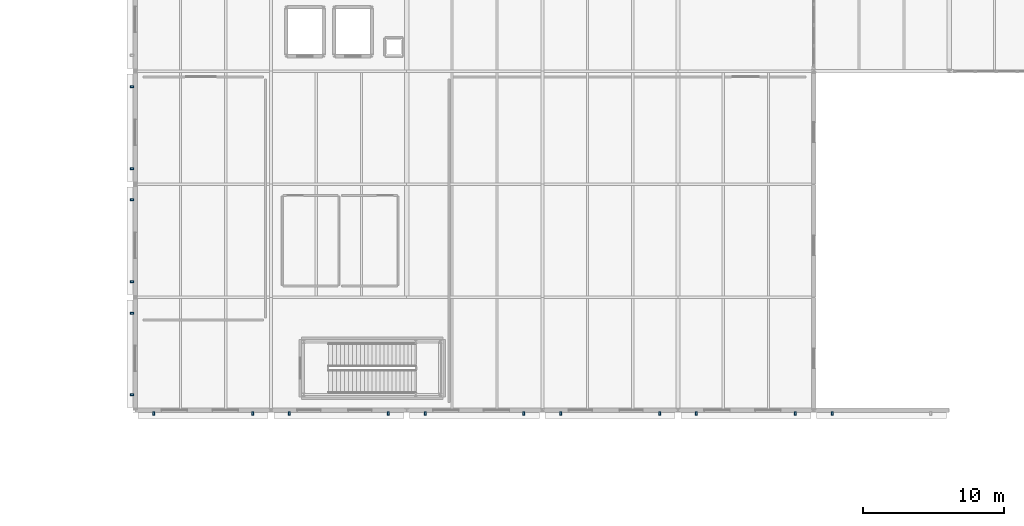
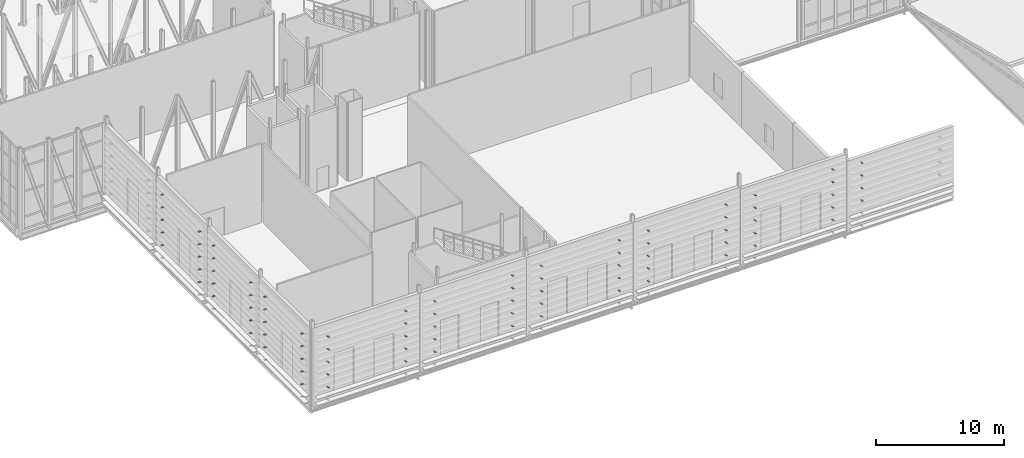
# One storey, part 58 of 73: 102 plates.
"""IFC4 building model written with IfcOpenShell, lengths in metres."""

from ifc_helpers import new_model, si_unit, direction, frame, origin, origin_2d, place, context, subcontext, project, spatial, rectangle, extrude, material, layer, layer_set, type_object, element, save


model = new_model("IFC4")

# Units and contexts
model_context = context("Model", 3, precision=1e-05, world=origin(), true_north=direction((0.0, 1.0)))
body_context = subcontext(model_context, "Body", "Model", "MODEL_VIEW")
ifc_project = project(units=[si_unit("LENGTHUNIT", "METRE"), si_unit("AREAUNIT", "SQUARE_METRE"), si_unit("VOLUMEUNIT", "CUBIC_METRE"), si_unit("PLANEANGLEUNIT", "RADIAN"), si_unit("MASSUNIT", "GRAM", prefix="KILO")], contexts=[model_context])

# Site, building, storey
site_placement = place(None, origin())
site = spatial("IfcSite", under=ifc_project, at=site_placement, CompositionType="ELEMENT")
building_placement = place(site_placement, origin())
building = spatial("IfcBuilding", under=site, at=building_placement, Name="Alderhovde Museum", CompositionType="ELEMENT")
storey_placement = place(building_placement, frame((0.0, 0.0, 17.39990234375)))
storey = spatial("IfcBuildingStorey", under=building, at=storey_placement, Name="L04", CompositionType="ELEMENT", Elevation=17.39990234375)

# Plates
ifc_material = material(Name="Steel S355J2", Category="steel")
ifc_layer = layer(ifc_material, 0.02001953125)
ifc_layer_set = layer_set([ifc_layer], Name="Steel S355J2")
plate_type = type_object("IfcPlateType", Name="LV-BRACKET", PredefinedType="USERDEFINED", material=ifc_layer_set)
for number, where, z_axis, x_axis, name in (
    (1, (58.904052734375, 47.77001953125, 0.010009765625), (0.0, 0.0, 1.0), (1.0, 0.0, 0.0), "L04 Louvre Support Bracket 5-1"),
    (2, (58.904052734375, 47.77001953125, 1.210205078125), (0.0, 0.0, 1.0), (1.0, 0.0, 0.0), "L04 Louvre Support Bracket 7-1"),
    (3, (58.904052734375, 47.77001953125, 2.41015625), (0.0, 0.0, 1.0), (1.0, 0.0, 0.0), "L04 Louvre Support Bracket 9-1"),
    (4, (58.904052734375, 47.77001953125, 3.610107421875), (0.0, 0.0, 1.0), (1.0, 0.0, 0.0), "L04 Louvre Support Bracket 11-1"),
    (5, (58.904052734375, 47.77001953125, 4.81005859375), (0.0, 0.0, 1.0), (1.0, 0.0, 0.0), "L04 Louvre Support Bracket 13-1"),
    (6, (58.904052734375, 47.77001953125, 6.010009765625), (0.0, 0.0, 1.0), (1.0, 0.0, 0.0), "L04 Louvre Support Bracket 15-1"),
    (7, (9.3701171875, 49.112060546875, 0.2900390625), (0.0, 0.0, 1.0), (0.0, 1.0, 0.0), "L04 Louvre Support Bracket 199-1"),
    (8, (9.3701171875, 54.887939453125, 0.2900390625), (0.0, 0.0, 1.0), (0.0, 1.0, 0.0), "L04 Louvre Support Bracket 199-2"),
    (9, (9.3701171875, 49.112060546875, 1.489990234375), (0.0, 0.0, 1.0), (0.0, 1.0, 0.0), "L04 Louvre Support Bracket 201-1"),
    (10, (9.3701171875, 54.887939453125, 1.489990234375), (0.0, 0.0, 1.0), (0.0, 1.0, 0.0), "L04 Louvre Support Bracket 201-2"),
    (11, (9.3701171875, 49.112060546875, 2.690185546875), (0.0, 0.0, 1.0), (0.0, 1.0, 0.0), "L04 Louvre Support Bracket 203-1"),
    (12, (9.3701171875, 54.887939453125, 2.690185546875), (0.0, 0.0, 1.0), (0.0, 1.0, 0.0), "L04 Louvre Support Bracket 203-2"),
    (13, (9.3701171875, 49.112060546875, 3.89013671875), (0.0, 0.0, 1.0), (0.0, 1.0, 0.0), "L04 Louvre Support Bracket 205-1"),
    (14, (9.3701171875, 54.887939453125, 3.89013671875), (0.0, 0.0, 1.0), (0.0, 1.0, 0.0), "L04 Louvre Support Bracket 205-2"),
    (15, (9.3701171875, 49.112060546875, 5.090087890625), (0.0, 0.0, 1.0), (0.0, 1.0, 0.0), "L04 Louvre Support Bracket 207-1"),
    (16, (9.3701171875, 54.887939453125, 5.090087890625), (0.0, 0.0, 1.0), (0.0, 1.0, 0.0), "L04 Louvre Support Bracket 207-2"),
    (17, (9.3701171875, 49.112060546875, 6.2900390625), (0.0, 0.0, 1.0), (0.0, 1.0, 0.0), "L04 Louvre Support Bracket 209-1"),
    (18, (9.3701171875, 54.887939453125, 6.2900390625), (0.0, 0.0, 1.0), (0.0, 1.0, 0.0), "L04 Louvre Support Bracket 209-2"),
    (19, (9.3701171875, 57.112060546875, 0.2900390625), (0.0, 0.0, 1.0), (0.0, 1.0, 0.0), "L04 Louvre Support Bracket 211-1"),
    (20, (9.3701171875, 62.887939453125, 0.2900390625), (0.0, 0.0, 1.0), (0.0, 1.0, 0.0), "L04 Louvre Support Bracket 211-2"),
    (21, (9.3701171875, 57.112060546875, 1.489990234375), (0.0, 0.0, 1.0), (0.0, 1.0, 0.0), "L04 Louvre Support Bracket 213-1"),
    (22, (9.3701171875, 62.887939453125, 1.489990234375), (0.0, 0.0, 1.0), (0.0, 1.0, 0.0), "L04 Louvre Support Bracket 213-2"),
    (23, (9.3701171875, 57.112060546875, 2.690185546875), (0.0, 0.0, 1.0), (0.0, 1.0, 0.0), "L04 Louvre Support Bracket 215-1"),
    (24, (9.3701171875, 62.887939453125, 2.690185546875), (0.0, 0.0, 1.0), (0.0, 1.0, 0.0), "L04 Louvre Support Bracket 215-2"),
    (25, (9.3701171875, 57.112060546875, 3.89013671875), (0.0, 0.0, 1.0), (0.0, 1.0, 0.0), "L04 Louvre Support Bracket 217-1"),
    (26, (9.3701171875, 62.887939453125, 3.89013671875), (0.0, 0.0, 1.0), (0.0, 1.0, 0.0), "L04 Louvre Support Bracket 217-2"),
    (27, (9.3701171875, 57.112060546875, 5.090087890625), (0.0, 0.0, 1.0), (0.0, 1.0, 0.0), "L04 Louvre Support Bracket 219-1"),
    (28, (9.3701171875, 62.887939453125, 5.090087890625), (0.0, 0.0, 1.0), (0.0, 1.0, 0.0), "L04 Louvre Support Bracket 219-2"),
    (29, (9.3701171875, 57.112060546875, 6.2900390625), (0.0, 0.0, 1.0), (0.0, 1.0, 0.0), "L04 Louvre Support Bracket 221-1"),
    (30, (9.3701171875, 62.887939453125, 6.2900390625), (0.0, 0.0, 1.0), (0.0, 1.0, 0.0), "L04 Louvre Support Bracket 221-2"),
    (31, (9.3701171875, 65.112060546875, 0.2900390625), (0.0, 0.0, 1.0), (0.0, 1.0, 0.0), "L04 Louvre Support Bracket 223-1"),
    (32, (9.3701171875, 70.887939453125, 0.2900390625), (0.0, 0.0, 1.0), (0.0, 1.0, 0.0), "L04 Louvre Support Bracket 223-2"),
    (33, (9.3701171875, 65.112060546875, 1.489990234375), (0.0, 0.0, 1.0), (0.0, 1.0, 0.0), "L04 Louvre Support Bracket 225-1"),
    (34, (9.3701171875, 70.887939453125, 1.489990234375), (0.0, 0.0, 1.0), (0.0, 1.0, 0.0), "L04 Louvre Support Bracket 225-2"),
    (35, (9.3701171875, 65.112060546875, 2.690185546875), (0.0, 0.0, 1.0), (0.0, 1.0, 0.0), "L04 Louvre Support Bracket 227-1"),
    (36, (9.3701171875, 70.887939453125, 2.690185546875), (0.0, 0.0, 1.0), (0.0, 1.0, 0.0), "L04 Louvre Support Bracket 227-2"),
    (37, (9.3701171875, 65.112060546875, 3.89013671875), (0.0, 0.0, 1.0), (0.0, 1.0, 0.0), "L04 Louvre Support Bracket 229-1"),
    (38, (9.3701171875, 70.887939453125, 3.89013671875), (0.0, 0.0, 1.0), (0.0, 1.0, 0.0), "L04 Louvre Support Bracket 229-2"),
    (39, (9.3701171875, 65.112060546875, 5.090087890625), (0.0, 0.0, 1.0), (0.0, 1.0, 0.0), "L04 Louvre Support Bracket 231-1"),
    (40, (9.3701171875, 70.887939453125, 5.090087890625), (0.0, 0.0, 1.0), (0.0, 1.0, 0.0), "L04 Louvre Support Bracket 231-2"),
    (41, (9.3701171875, 65.112060546875, 6.2900390625), (0.0, 0.0, 1.0), (0.0, 1.0, 0.0), "L04 Louvre Support Bracket 233-1"),
    (42, (9.3701171875, 70.887939453125, 6.2900390625), (0.0, 0.0, 1.0), (0.0, 1.0, 0.0), "L04 Louvre Support Bracket 233-2"),
    (43, (10.904052734375, 47.77001953125, 0.2900390625), (0.0, 0.0, 1.0), (1.0, 0.0, 0.0), "L04 Louvre Support Bracket 247-1"),
    (44, (17.89599609375, 47.77001953125, 0.2900390625), (0.0, 0.0, 1.0), (1.0, 0.0, 0.0), "L04 Louvre Support Bracket 247-2"),
    (45, (10.904052734375, 47.77001953125, 1.489990234375), (0.0, 0.0, 1.0), (1.0, 0.0, 0.0), "L04 Louvre Support Bracket 249-1"),
    (46, (17.89599609375, 47.77001953125, 1.489990234375), (0.0, 0.0, 1.0), (1.0, 0.0, 0.0), "L04 Louvre Support Bracket 249-2"),
    (47, (10.904052734375, 47.77001953125, 2.690185546875), (0.0, 0.0, 1.0), (1.0, 0.0, 0.0), "L04 Louvre Support Bracket 251-1"),
    (48, (17.89599609375, 47.77001953125, 2.690185546875), (0.0, 0.0, 1.0), (1.0, 0.0, 0.0), "L04 Louvre Support Bracket 251-2"),
    (49, (10.904052734375, 47.77001953125, 3.89013671875), (0.0, 0.0, 1.0), (1.0, 0.0, 0.0), "L04 Louvre Support Bracket 253-1"),
    (50, (17.89599609375, 47.77001953125, 3.89013671875), (0.0, 0.0, 1.0), (1.0, 0.0, 0.0), "L04 Louvre Support Bracket 253-2"),
    (51, (10.904052734375, 47.77001953125, 5.090087890625), (0.0, 0.0, 1.0), (1.0, 0.0, 0.0), "L04 Louvre Support Bracket 255-1"),
    (52, (17.89599609375, 47.77001953125, 5.090087890625), (0.0, 0.0, 1.0), (1.0, 0.0, 0.0), "L04 Louvre Support Bracket 255-2"),
    (53, (10.904052734375, 47.77001953125, 6.2900390625), (0.0, 0.0, 1.0), (1.0, 0.0, 0.0), "L04 Louvre Support Bracket 257-1"),
    (54, (17.89599609375, 47.77001953125, 6.2900390625), (0.0, 0.0, 1.0), (1.0, 0.0, 0.0), "L04 Louvre Support Bracket 257-2"),
    (55, (20.50390625, 47.77001953125, 0.2900390625), (0.0, 0.0, 1.0), (1.0, 0.0, 0.0), "L04 Louvre Support Bracket 259-1"),
    (56, (27.49609375, 47.77001953125, 0.2900390625), (0.0, 0.0, 1.0), (1.0, 0.0, 0.0), "L04 Louvre Support Bracket 259-2"),
    (57, (20.50390625, 47.77001953125, 1.489990234375), (0.0, 0.0, 1.0), (1.0, 0.0, 0.0), "L04 Louvre Support Bracket 261-1"),
    (58, (27.49609375, 47.77001953125, 1.489990234375), (0.0, 0.0, 1.0), (1.0, 0.0, 0.0), "L04 Louvre Support Bracket 261-2"),
    (59, (20.50390625, 47.77001953125, 2.690185546875), (0.0, 0.0, 1.0), (1.0, 0.0, 0.0), "L04 Louvre Support Bracket 263-1"),
    (60, (27.49609375, 47.77001953125, 2.690185546875), (0.0, 0.0, 1.0), (1.0, 0.0, 0.0), "L04 Louvre Support Bracket 263-2"),
    (61, (20.50390625, 47.77001953125, 3.89013671875), (0.0, 0.0, 1.0), (1.0, 0.0, 0.0), "L04 Louvre Support Bracket 265-1"),
    (62, (27.49609375, 47.77001953125, 3.89013671875), (0.0, 0.0, 1.0), (1.0, 0.0, 0.0), "L04 Louvre Support Bracket 265-2"),
    (63, (20.50390625, 47.77001953125, 5.090087890625), (0.0, 0.0, 1.0), (1.0, 0.0, 0.0), "L04 Louvre Support Bracket 267-1"),
    (64, (27.49609375, 47.77001953125, 5.090087890625), (0.0, 0.0, 1.0), (1.0, 0.0, 0.0), "L04 Louvre Support Bracket 267-2"),
    (65, (20.50390625, 47.77001953125, 6.2900390625), (0.0, 0.0, 1.0), (1.0, 0.0, 0.0), "L04 Louvre Support Bracket 269-1"),
    (66, (27.49609375, 47.77001953125, 6.2900390625), (0.0, 0.0, 1.0), (1.0, 0.0, 0.0), "L04 Louvre Support Bracket 269-2"),
    (67, (30.10400390625, 47.77001953125, 0.2900390625), (0.0, 0.0, 1.0), (1.0, 0.0, 0.0), "L04 Louvre Support Bracket 271-1"),
    (68, (37.095947265625, 47.77001953125, 0.2900390625), (0.0, 0.0, 1.0), (1.0, 0.0, 0.0), "L04 Louvre Support Bracket 271-2"),
    (69, (30.10400390625, 47.77001953125, 1.489990234375), (0.0, 0.0, 1.0), (1.0, 0.0, 0.0), "L04 Louvre Support Bracket 273-1"),
    (70, (37.095947265625, 47.77001953125, 1.489990234375), (0.0, 0.0, 1.0), (1.0, 0.0, 0.0), "L04 Louvre Support Bracket 273-2"),
    (71, (30.10400390625, 47.77001953125, 2.690185546875), (0.0, 0.0, 1.0), (1.0, 0.0, 0.0), "L04 Louvre Support Bracket 275-1"),
    (72, (37.095947265625, 47.77001953125, 2.690185546875), (0.0, 0.0, 1.0), (1.0, 0.0, 0.0), "L04 Louvre Support Bracket 275-2"),
    (73, (30.10400390625, 47.77001953125, 3.89013671875), (0.0, 0.0, 1.0), (1.0, 0.0, 0.0), "L04 Louvre Support Bracket 277-1"),
    (74, (37.095947265625, 47.77001953125, 3.89013671875), (0.0, 0.0, 1.0), (1.0, 0.0, 0.0), "L04 Louvre Support Bracket 277-2"),
    (75, (30.10400390625, 47.77001953125, 5.090087890625), (0.0, 0.0, 1.0), (1.0, 0.0, 0.0), "L04 Louvre Support Bracket 279-1"),
    (76, (37.095947265625, 47.77001953125, 5.090087890625), (0.0, 0.0, 1.0), (1.0, 0.0, 0.0), "L04 Louvre Support Bracket 279-2"),
    (77, (30.10400390625, 47.77001953125, 6.2900390625), (0.0, 0.0, 1.0), (1.0, 0.0, 0.0), "L04 Louvre Support Bracket 281-1"),
    (78, (37.095947265625, 47.77001953125, 6.2900390625), (0.0, 0.0, 1.0), (1.0, 0.0, 0.0), "L04 Louvre Support Bracket 281-2"),
    (79, (39.7041015625, 47.77001953125, 0.2900390625), (0.0, 0.0, 1.0), (1.0, 0.0, 0.0), "L04 Louvre Support Bracket 283-1"),
    (80, (46.696044921875, 47.77001953125, 0.2900390625), (0.0, 0.0, 1.0), (1.0, 0.0, 0.0), "L04 Louvre Support Bracket 283-2"),
    (81, (39.7041015625, 47.77001953125, 1.489990234375), (0.0, 0.0, 1.0), (1.0, 0.0, 0.0), "L04 Louvre Support Bracket 285-1"),
    (82, (46.696044921875, 47.77001953125, 1.489990234375), (0.0, 0.0, 1.0), (1.0, 0.0, 0.0), "L04 Louvre Support Bracket 285-2"),
    (83, (39.7041015625, 47.77001953125, 2.690185546875), (0.0, 0.0, 1.0), (1.0, 0.0, 0.0), "L04 Louvre Support Bracket 287-1"),
    (84, (46.696044921875, 47.77001953125, 2.690185546875), (0.0, 0.0, 1.0), (1.0, 0.0, 0.0), "L04 Louvre Support Bracket 287-2"),
    (85, (39.7041015625, 47.77001953125, 3.89013671875), (0.0, 0.0, 1.0), (1.0, 0.0, 0.0), "L04 Louvre Support Bracket 289-1"),
    (86, (46.696044921875, 47.77001953125, 3.89013671875), (0.0, 0.0, 1.0), (1.0, 0.0, 0.0), "L04 Louvre Support Bracket 289-2"),
    (87, (39.7041015625, 47.77001953125, 5.090087890625), (0.0, 0.0, 1.0), (1.0, 0.0, 0.0), "L04 Louvre Support Bracket 291-1"),
    (88, (46.696044921875, 47.77001953125, 5.090087890625), (0.0, 0.0, 1.0), (1.0, 0.0, 0.0), "L04 Louvre Support Bracket 291-2"),
    (89, (39.7041015625, 47.77001953125, 6.2900390625), (0.0, 0.0, 1.0), (1.0, 0.0, 0.0), "L04 Louvre Support Bracket 293-1"),
    (90, (46.696044921875, 47.77001953125, 6.2900390625), (0.0, 0.0, 1.0), (1.0, 0.0, 0.0), "L04 Louvre Support Bracket 293-2"),
    (91, (49.303955078125, 47.77001953125, 0.2900390625), (0.0, 0.0, 1.0), (1.0, 0.0, 0.0), "L04 Louvre Support Bracket 295-1"),
    (92, (56.2958984375, 47.77001953125, 0.2900390625), (0.0, 0.0, 1.0), (1.0, 0.0, 0.0), "L04 Louvre Support Bracket 295-2"),
    (93, (49.303955078125, 47.77001953125, 1.489990234375), (0.0, 0.0, 1.0), (1.0, 0.0, 0.0), "L04 Louvre Support Bracket 297-1"),
    (94, (56.2958984375, 47.77001953125, 1.489990234375), (0.0, 0.0, 1.0), (1.0, 0.0, 0.0), "L04 Louvre Support Bracket 297-2"),
    (95, (49.303955078125, 47.77001953125, 2.690185546875), (0.0, 0.0, 1.0), (1.0, 0.0, 0.0), "L04 Louvre Support Bracket 299-1"),
    (96, (56.2958984375, 47.77001953125, 2.690185546875), (0.0, 0.0, 1.0), (1.0, 0.0, 0.0), "L04 Louvre Support Bracket 299-2"),
    (97, (49.303955078125, 47.77001953125, 3.89013671875), (0.0, 0.0, 1.0), (1.0, 0.0, 0.0), "L04 Louvre Support Bracket 301-1"),
    (98, (56.2958984375, 47.77001953125, 3.89013671875), (0.0, 0.0, 1.0), (1.0, 0.0, 0.0), "L04 Louvre Support Bracket 301-2"),
    (99, (49.303955078125, 47.77001953125, 5.090087890625), (0.0, 0.0, 1.0), (1.0, 0.0, 0.0), "L04 Louvre Support Bracket 303-1"),
    (100, (56.2958984375, 47.77001953125, 5.090087890625), (0.0, 0.0, 1.0), (1.0, 0.0, 0.0), "L04 Louvre Support Bracket 303-2"),
    (101, (49.303955078125, 47.77001953125, 6.2900390625), (0.0, 0.0, 1.0), (1.0, 0.0, 0.0), "L04 Louvre Support Bracket 305-1"),
    (102, (56.2958984375, 47.77001953125, 6.2900390625), (0.0, 0.0, 1.0), (1.0, 0.0, 0.0), "L04 Louvre Support Bracket 305-2"),
):
    element("IfcPlate", number, at=place(storey_placement, frame(where, z_axis=z_axis, x_axis=x_axis)), inside=storey, type_object=plate_type, Name=name, ObjectType="BRACKET PLATE", PredefinedType="USERDEFINED", context=body_context, shape_type="SweptSolid", body=[
        extrude(rectangle(XDim=0.139892578125, YDim=0.260009765625, at=origin_2d()), origin(), (0.0, 0.0, 1.0), 0.02001953125),
    ])

save(model, "model.ifc")
